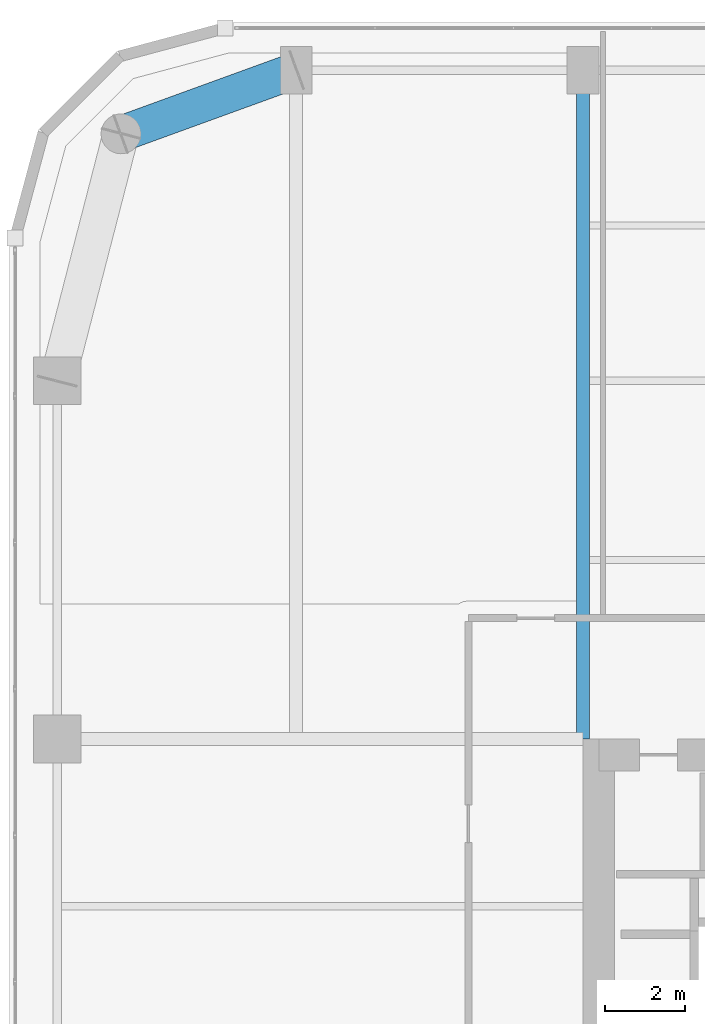
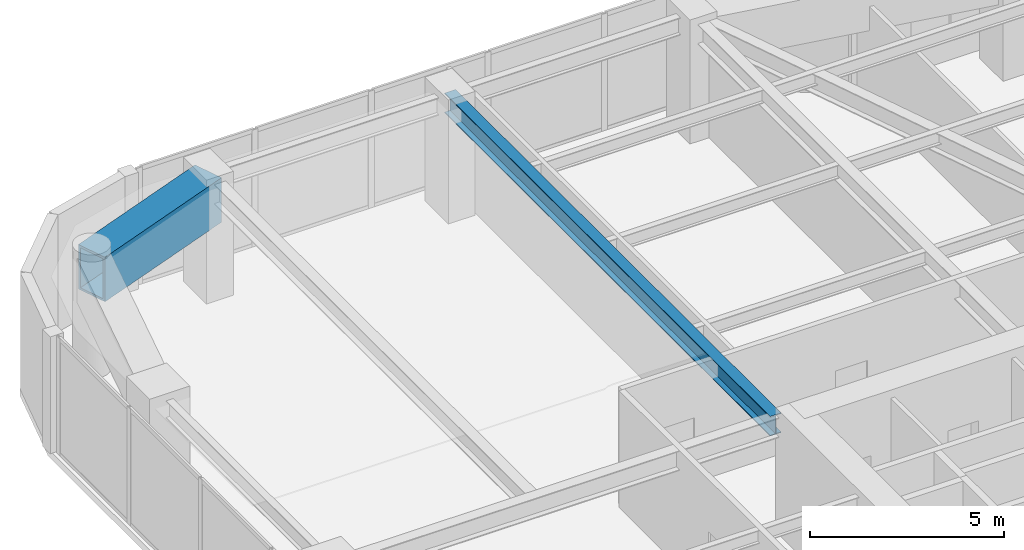
# One storey, part 16 of 30: 2 beams.
"""IFC4 building model written with IfcOpenShell, lengths in metres."""

from ifc_helpers import new_model, si_unit, direction, frame, origin, origin_2d, place, context, subcontext, project, spatial, hollow_rectangle, i_section, extrude, material, material_profile, profile_set, type_object, element, save


model = new_model("IFC4")

# Units and contexts
model_context = context("Model", 3, precision=1e-05, world=origin(), true_north=direction((0.0, 1.0)))
body_context = subcontext(model_context, "Body", "Model", "MODEL_VIEW")
ifc_project = project(units=[si_unit("LENGTHUNIT", "METRE"), si_unit("AREAUNIT", "SQUARE_METRE"), si_unit("VOLUMEUNIT", "CUBIC_METRE"), si_unit("PLANEANGLEUNIT", "RADIAN"), si_unit("MASSUNIT", "GRAM", prefix="KILO")], contexts=[model_context])

# Site, building, storey
site_placement = place(None, origin())
site = spatial("IfcSite", under=ifc_project, at=site_placement, CompositionType="ELEMENT")
building_placement = place(site_placement, origin())
building = spatial("IfcBuilding", under=site, at=building_placement, Name="Kiyonajd Concourse Tower", CompositionType="ELEMENT")
storey_placement = place(building_placement, frame((0.0, 0.0, 174.0)))
storey = spatial("IfcBuildingStorey", under=building, at=storey_placement, Name="L44", CompositionType="ELEMENT", Elevation=174.0)

# Beams
ifc_material_1 = material(Name="Steel ASTM A992 Grade 50", Category="steel")
ifc_material_profile_1 = material_profile(ifc_material_1, i_section(OverallWidth=0.326904296875, OverallDepth=0.6220703125, WebThickness=0.015380859375, FlangeThickness=0.0244140625, at=origin_2d()), Name="W610X195")
ifc_profile_set_1 = profile_set([ifc_material_profile_1], Name="Steel ASTM A992 Grade 50")
beam_type_1 = type_object("IfcBeamType", Name="BM-TWR-610A", PredefinedType="BEAM", material=ifc_profile_set_1)
beam_1_placement = place(storey_placement, frame((32.39990234375, 44.39990234375, 3.368896484375), z_axis=(0.0, 1.0, 0.0), x_axis=(-1.0, 0.0, 0.0)))
element("IfcBeam", 1, at=beam_1_placement, inside=storey, type_object=beam_type_1, Name="L44 North Lease Girder", PredefinedType="BEAM", context=body_context, shape_type="SweptSolid", body=[
    extrude(i_section(OverallWidth=0.326904296875, OverallDepth=0.6220703125, WebThickness=0.015380859375, FlangeThickness=0.0244140625, at=origin_2d()), origin(), (0.0, 0.0, 1.0), 16.800048828125),
])
ifc_material_2 = material(Name="Steel ASTM A572 Grade 50", Category="steel")
ifc_material_profile_2 = material_profile(ifc_material_2, hollow_rectangle(XDim=0.89990234375, YDim=1.39990234375, WallThickness=0.070068359375, at=origin_2d()), Name="BOX-1400x900x70")
ifc_profile_set_2 = profile_set([ifc_material_profile_2], Name="Steel ASTM A572 Grade 50")
beam_type_2 = type_object("IfcBeamType", Name="BM-XFER-1400", PredefinedType="BEAM", material=ifc_profile_set_2)
beam_2_placement = place(storey_placement, frame((25.199951171875, 61.199951171875, 2.97998046875), z_axis=(-0.939801036019, -0.341722127901, 0.0), x_axis=(0.341722127901, -0.939801036019, 0.0)))
element("IfcBeam", 2, at=beam_2_placement, inside=storey, type_object=beam_type_2, Name="L44 Perimeter Bundled Tube Spandrel", PredefinedType="BEAM", context=body_context, shape_type="SweptSolid", body=[
    extrude(hollow_rectangle(XDim=0.89990234375, YDim=1.39990234375, WallThickness=0.070068359375, at=origin_2d()), origin(), (0.0, 0.0, 1.0), 4.681640625),
])

save(model, "model.ifc")
